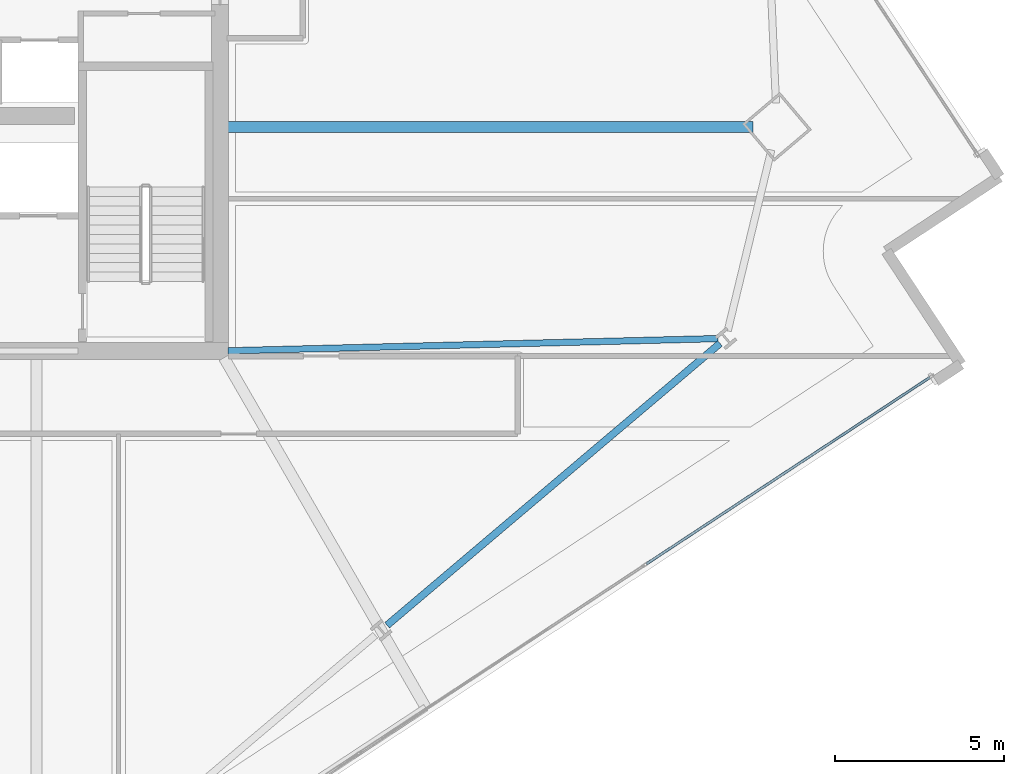
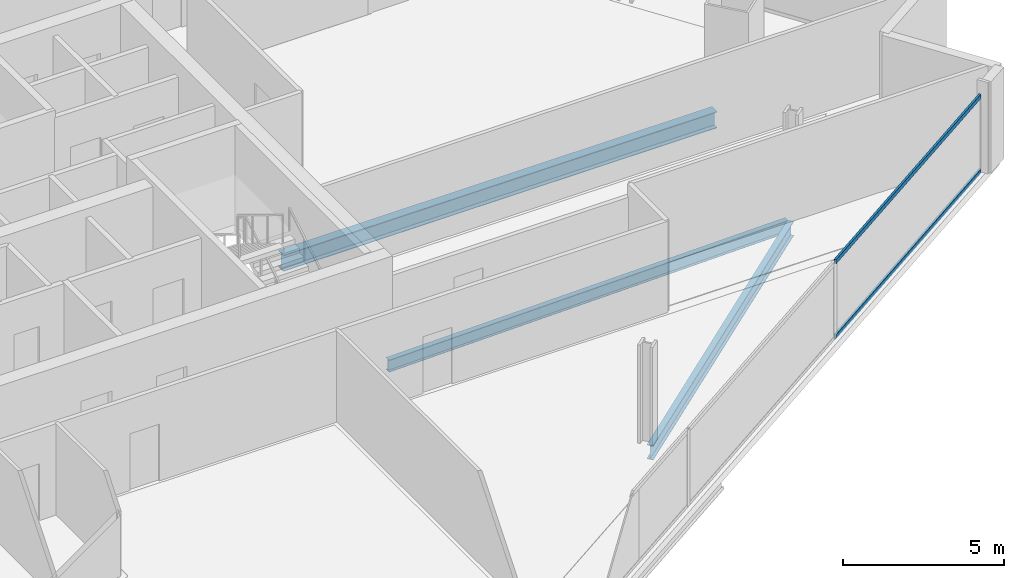
# One storey, part 9 of 29: 3 beams, 2 members, 1 element without a shape of its own.
"""IFC4 building model written with IfcOpenShell, lengths in metres."""

from ifc_helpers import new_model, si_unit, direction, frame, origin, origin_2d, place, context, subcontext, project, spatial, hollow_rectangle, i_section, extrude, material, material_profile, profile_set, type_object, element, aggregate, save


model = new_model("IFC4")

# Units and contexts
model_context = context("Model", 3, precision=1e-05, world=origin(), true_north=direction((0.0, 1.0)))
body_context = subcontext(model_context, "Body", "Model", "MODEL_VIEW")
ifc_project = project(units=[si_unit("LENGTHUNIT", "METRE"), si_unit("AREAUNIT", "SQUARE_METRE"), si_unit("VOLUMEUNIT", "CUBIC_METRE"), si_unit("PLANEANGLEUNIT", "RADIAN"), si_unit("MASSUNIT", "GRAM", prefix="KILO")], contexts=[model_context])

# Site, building, storey
site_placement = place(None, origin())
site = spatial("IfcSite", under=ifc_project, at=site_placement, CompositionType="ELEMENT")
building_placement = place(site_placement, origin())
building = spatial("IfcBuilding", under=site, at=building_placement, Name="Haldenkirk Collegiate Tower", CompositionType="ELEMENT")
storey_placement = place(building_placement, frame((0.0, 0.0, 140.699951171875)))
storey = spatial("IfcBuildingStorey", under=building, at=storey_placement, Name="L34", CompositionType="ELEMENT", Elevation=140.699951171875)

# Beams
ifc_material_1 = material(Name="Steel ASTM A992 Grade 50", Category="steel")
ifc_material_profile_1 = material_profile(ifc_material_1, i_section(OverallWidth=0.324951171875, OverallDepth=0.615966796875, WebThickness=0.013916015625, FlangeThickness=0.021484375, at=origin_2d()), Name="W24X117")
ifc_profile_set_1 = profile_set([ifc_material_profile_1], Name="Steel ASTM A992 Grade 50")
beam_type_1 = type_object("IfcBeamType", Name="BM-GIRDER-W24X117", PredefinedType="BEAM", material=ifc_profile_set_1)
beam_1_placement = place(storey_placement, frame((60.760009765625, 24.62890625, -0.597900390625), z_axis=(-1.0, 0.0, 0.0), x_axis=(0.0, -1.0, 0.0)))
element("IfcBeam", 1, at=beam_1_placement, inside=storey, type_object=beam_type_1, Name="L34 primary floor girder 02", PredefinedType="BEAM", context=body_context, shape_type="SweptSolid", body=[
    extrude(i_section(OverallWidth=0.324951171875, OverallDepth=0.615966796875, WebThickness=0.013916015625, FlangeThickness=0.021484375, at=origin_2d()), origin(), (0.0, 0.0, 1.0), 15.530029296875),
])
ifc_material_profile_2 = material_profile(ifc_material_1, i_section(OverallWidth=0.18994140625, OverallDepth=0.45703125, WebThickness=0.009033203125, FlangeThickness=0.014404296875, at=origin_2d()), Name="W18X50")
ifc_profile_set_2 = profile_set([ifc_material_profile_2], Name="Steel ASTM A992 Grade 50")
beam_type_2 = type_object("IfcBeamType", Name="BM-JOIST-W18X50", PredefinedType="JOIST", material=ifc_profile_set_2)
beam_2_placement = place(storey_placement, frame((59.727294921875, 18.3671875, -0.5185546875), z_axis=(-0.999689127321, -0.024932884215, 0.0), x_axis=(0.024932884215, -0.999689127321, 0.0)))
element("IfcBeam", 2, at=beam_2_placement, inside=storey, type_object=beam_type_2, Name="L34 composite floor joist 07", PredefinedType="JOIST", context=body_context, shape_type="SweptSolid", body=[
    extrude(i_section(OverallWidth=0.18994140625, OverallDepth=0.45703125, WebThickness=0.009033203125, FlangeThickness=0.014404296875, at=origin_2d()), origin(), (0.0, 0.0, 1.0), 14.501708984375),
])
ifc_material_profile_3 = material_profile(ifc_material_1, i_section(OverallWidth=0.2119140625, OverallDepth=0.5439453125, WebThickness=0.01318359375, FlangeThickness=0.021240234375, at=origin_2d()), Name="W21X83")
ifc_profile_set_3 = profile_set([ifc_material_profile_3], Name="Steel ASTM A992 Grade 50")
beam_type_3 = type_object("IfcBeamType", Name="BM-SPANDREL-W21X83", PredefinedType="SPANDREL", material=ifc_profile_set_3)
beam_3_placement = place(storey_placement, frame((49.937255859375, 9.89111328125, -0.56201171875), z_axis=(0.763233335078, 0.646122957514, 0.0), x_axis=(-0.646122957514, 0.763233335078, 0.0)))
element("IfcBeam", 3, at=beam_3_placement, inside=storey, type_object=beam_type_3, Name="L34 perimeter spandrel beam 03", PredefinedType="SPANDREL", context=body_context, shape_type="SweptSolid", body=[
    extrude(i_section(OverallWidth=0.2119140625, OverallDepth=0.5439453125, WebThickness=0.01318359375, FlangeThickness=0.021240234375, at=origin_2d()), origin(), (0.0, 0.0, 1.0), 12.898193359375),
])

# Curtain wall, members
ifc_material_2 = material(Name="Anodised architectural bronze aluminium", Category="aluminium")
curtain_wall_type = type_object("IfcCurtainWallType", Name="CW-SYS2-CONCAVE", PredefinedType="USERDEFINED", material=ifc_material_2)
curtain_wall_placement = place(storey_placement, origin())
curtain_wall = element("IfcCurtainWall", 4, at=curtain_wall_placement, inside=storey, type_object=curtain_wall_type, Name="L34 South concave recessed bronze-anodised curtain wall", ObjectType="UNITISED CURTAIN WALL", PredefinedType="USERDEFINED")
ifc_material_profile_4 = material_profile(ifc_material_2, hollow_rectangle(XDim=0.074951171875, YDim=0.159912109375, WallThickness=0.0048828125, at=origin_2d()), Name="CW-TRN-02")
ifc_profile_set_4 = profile_set([ifc_material_profile_4], Name="Anodised architectural bronze aluminium")
member_type = type_object("IfcMemberType", Name="CW-TRN-02", PredefinedType="USERDEFINED", material=ifc_profile_set_4)
member_1_placement = place(storey_placement, frame((65.989501953125, 17.22119140625, 0.03759765625), z_axis=(-0.835328607715, -0.549750959193, 0.0), x_axis=(0.549750959193, -0.835328607715, 0.0)))
member_1 = element("IfcMember", 5, at=member_1_placement, type_object=member_type, Name="CW-02 transom 1.1", ObjectType="TRANSOM", PredefinedType="USERDEFINED", context=body_context, shape_type="SweptSolid", body=[
    extrude(hollow_rectangle(XDim=0.074951171875, YDim=0.159912109375, WallThickness=0.0048828125, at=origin_2d()), origin(), (0.0, 0.0, 1.0), 10.037353515625),
])
member_2_placement = place(storey_placement, frame((65.989501953125, 17.22119140625, 2.87353515625), z_axis=(-0.835328607715, -0.549750959193, 0.0), x_axis=(0.549750959193, -0.835328607715, 0.0)))
member_2 = element("IfcMember", 6, at=member_2_placement, type_object=member_type, Name="CW-02 transom 1.2", ObjectType="TRANSOM", PredefinedType="USERDEFINED", context=body_context, shape_type="SweptSolid", body=[
    extrude(hollow_rectangle(XDim=0.074951171875, YDim=0.159912109375, WallThickness=0.0048828125, at=origin_2d()), origin(), (0.0, 0.0, 1.0), 10.037353515625),
])
aggregate(curtain_wall, [member_1, member_2])

save(model, "model.ifc")
